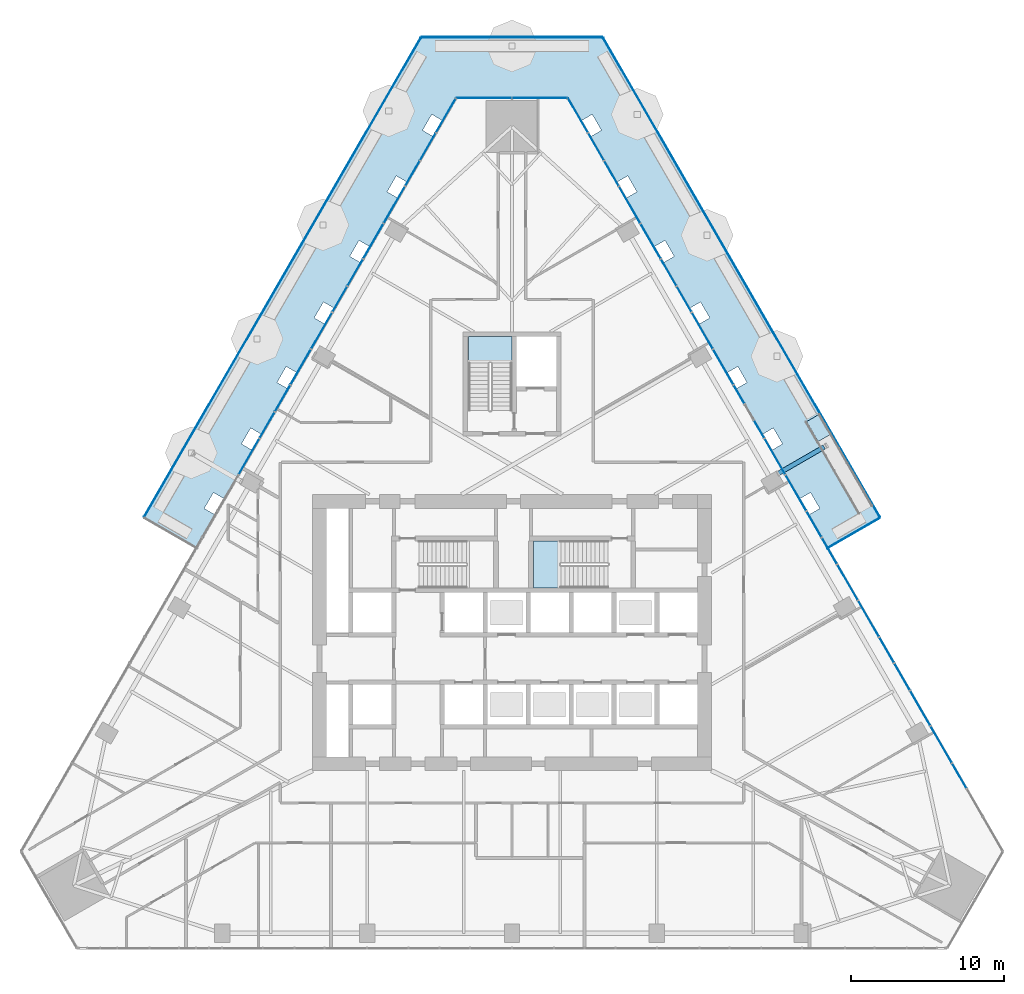
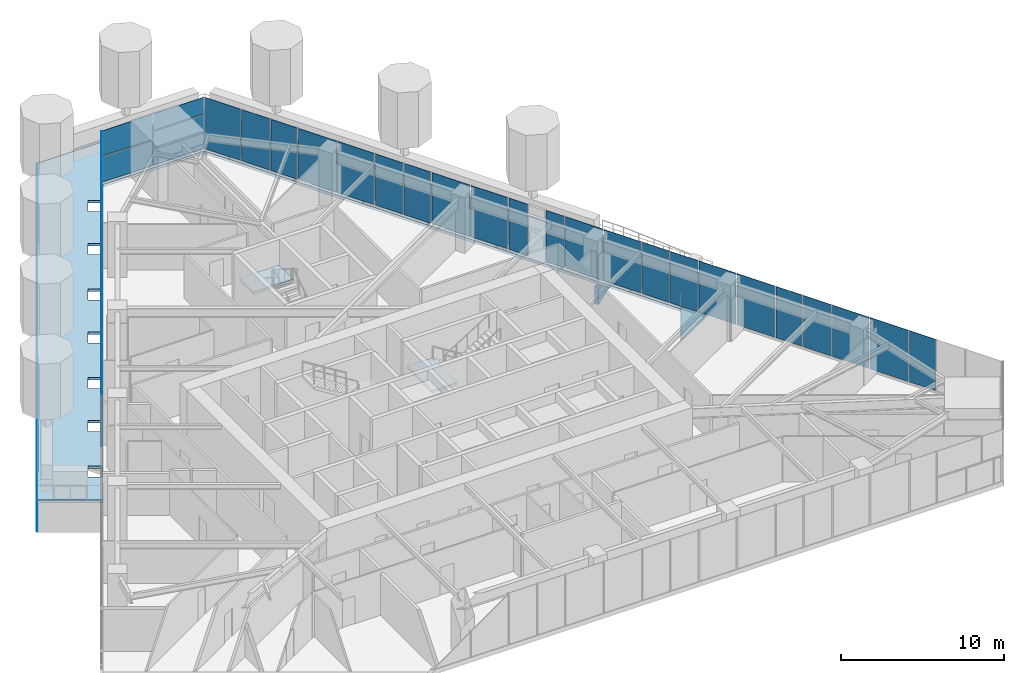
# One storey, part 15 of 25: 44 plates, 4 slabs, 5 elements without a shape of their own.
"""IFC4 building model written with IfcOpenShell, lengths in metres."""

from ifc_helpers import new_model, si_unit, direction, frame, origin, place, context, subcontext, project, spatial, polyline, outline, extrude, material, layer, layer_set, type_object, element, aggregate, save


model = new_model("IFC4")

# Units and contexts
model_context = context("Model", 3, precision=1e-05, world=origin(), true_north=direction((0.0, 1.0)))
body_context = subcontext(model_context, "Body", "Model", "MODEL_VIEW")
ifc_project = project(units=[si_unit("LENGTHUNIT", "METRE"), si_unit("AREAUNIT", "SQUARE_METRE"), si_unit("VOLUMEUNIT", "CUBIC_METRE"), si_unit("PLANEANGLEUNIT", "RADIAN"), si_unit("MASSUNIT", "GRAM", prefix="KILO")], contexts=[model_context])

# Site, building, storey
site_placement = place(None, origin())
site = spatial("IfcSite", under=ifc_project, at=site_placement, CompositionType="ELEMENT")
building_placement = place(site_placement, origin())
building = spatial("IfcBuilding", under=site, at=building_placement, Name="Firuza Gate Tower and Library", CompositionType="ELEMENT")
storey_placement = place(building_placement, frame((0.0, 0.0, 86.199951171875)))
storey = spatial("IfcBuildingStorey", under=building, at=storey_placement, Name="L19", CompositionType="ELEMENT", Elevation=86.199951171875)

# Curtain wall, plates
ifc_material_1 = material(Name="Aluminium 6063-T6", Category="aluminium")
ifc_layer_1 = layer(ifc_material_1, 0.14990234375)
ifc_layer_set_1 = layer_set([ifc_layer_1], Name="Corner curtain wall, chamfers")
curtain_wall_type_1 = type_object("IfcCurtainWallType", Name="Corner curtain wall, chamfers", PredefinedType="NOTDEFINED", material=ifc_layer_set_1)
placement_1 = place(storey_placement, origin())
curtain_wall_1 = element("IfcCurtainWall", 1, at=placement_1, inside=storey, type_object=curtain_wall_type_1, Name="CW4 L19 N corner", PredefinedType="NOTDEFINED")
ifc_material_2 = material(Name="Fritted glass", Category="glass")
ifc_layer_2 = layer(ifc_material_2, 0.030029296875)
ifc_layer_set_2 = layer_set([ifc_layer_2], Name="Fritted glass unit, corners")
plate_type_1 = type_object("IfcPlateType", Name="Fritted glass unit, corners", PredefinedType="CURTAIN_PANEL", material=ifc_layer_set_2)
plate_1_placement = place(storey_placement, frame((78.603271484375, 109.856201171875, 0.150146484375), z_axis=(0.0, 1.0, 0.0), x_axis=(-1.0, 0.0, 0.0)))
plate_1 = element("IfcPlate", 2, at=plate_1_placement, type_object=plate_type_1, Name="Glass unit", PredefinedType="CURTAIN_PANEL", context=body_context, shape_type="SweptSolid", body=[
    extrude(outline(polyline([(0.0, 0.0), (3.563232421875, 0.0), (3.563232421875, 1.260009765625), (0.0, 1.260009765625), (0.0, 0.0)])), origin(), (0.0, 0.0, -1.0), 0.030029296875),
])
plate_2_placement = place(storey_placement, frame((78.603271484375, 109.856201171875, 1.489990234375), z_axis=(0.0, 1.0, 0.0), x_axis=(-1.0, 0.0, 0.0)))
plate_2 = element("IfcPlate", 3, at=plate_2_placement, type_object=plate_type_1, Name="Glass unit", PredefinedType="CURTAIN_PANEL", context=body_context, shape_type="SweptSolid", body=[
    extrude(outline(polyline([(0.0, 0.0), (3.563232421875, 0.0), (3.563232421875, 1.195068359375), (0.0, 1.195068359375), (0.0, 0.0)])), origin(), (0.0, 0.0, -1.0), 0.030029296875),
])
plate_3_placement = place(storey_placement, frame((74.9599609375, 109.856201171875, 0.150146484375), z_axis=(0.0, 1.0, 0.0), x_axis=(-1.0, 0.0, 0.0)))
plate_3 = element("IfcPlate", 4, at=plate_3_placement, type_object=plate_type_1, Name="Glass unit", PredefinedType="CURTAIN_PANEL", context=body_context, shape_type="SweptSolid", body=[
    extrude(outline(polyline([(0.0, 0.0), (3.563232421875, 0.0), (3.563232421875, 1.885009765625), (0.0, 1.885009765625), (0.0, 0.0)])), origin(), (0.0, 0.0, -1.0), 0.030029296875),
])

ifc_material_3 = material(Name="Aluminium 6063-T6", Category="aluminium")
ifc_layer_3 = layer(ifc_material_3, 0.14990234375)
ifc_layer_set_3 = layer_set([ifc_layer_3], Name="Unitised curtain wall, offices")
curtain_wall_type_2 = type_object("IfcCurtainWallType", Name="Unitised curtain wall, offices", PredefinedType="NOTDEFINED", material=ifc_layer_set_3)
curtain_wall_2 = element("IfcCurtainWall", 5, at=placement_1, inside=storey, type_object=curtain_wall_type_2, Name="CW1 L19 E face", PredefinedType="NOTDEFINED")
ifc_material_4 = material(Name="Fritted glass", Category="glass")
ifc_layer_4 = layer(ifc_material_4, 0.030029296875)
ifc_layer_set_4 = layer_set([ifc_layer_4], Name="Fritted glass unit, offices")
plate_type_2 = type_object("IfcPlateType", Name="Fritted glass unit, offices", PredefinedType="CURTAIN_PANEL", material=ifc_layer_set_4)
plate_4_placement = place(storey_placement, frame((104.62548828125, 64.868896484375, 0.150146484375), z_axis=(0.866024486176, 0.500001589341, 0.0), x_axis=(-0.500001589341, 0.866024486176, 0.0)))
plate_4 = element("IfcPlate", 6, at=plate_4_placement, type_object=plate_type_2, Name="Glass unit", PredefinedType="CURTAIN_PANEL", context=body_context, shape_type="SweptSolid", body=[
    extrude(outline(polyline([(0.0, 0.0), (1.8422793002304725, 0.0), (1.8422793002304725, 3.849853515625001), (0.0, 3.849853515625001), (0.0, 0.0)])), origin(), (0.0, 0.0, -1.0), 0.030029296875),
])
plate_5_placement = place(storey_placement, frame((100.9306640625, 71.268310546875, 0.150146484375), z_axis=(0.866058361958, 0.499942910424, 0.0), x_axis=(-0.499942910424, 0.866058361958, 0.0)))
plate_5 = element("IfcPlate", 7, at=plate_5_placement, type_object=plate_type_2, Name="Glass unit", PredefinedType="CURTAIN_PANEL", context=body_context, shape_type="SweptSolid", body=[
    extrude(outline(polyline([(0.0, 0.0), (1.9811832410714314, 0.0), (1.9811832410714314, 3.849853515625), (0.0, 3.849853515625), (0.0, 0.0)])), origin(), (0.0, 0.0, -1.0), 0.030029296875),
])
plate_6_placement = place(storey_placement, frame((99.900146484375, 73.053466796875, 0.150146484375), z_axis=(0.866025296335, 0.500000186108, 0.0), x_axis=(-0.500000186108, 0.866025296335, 0.0)))
plate_6 = element("IfcPlate", 8, at=plate_6_placement, type_object=plate_type_2, Name="Glass unit", PredefinedType="CURTAIN_PANEL", context=body_context, shape_type="SweptSolid", body=[
    extrude(outline(polyline([(0.0, 0.0), (1.8769524263664479, 0.0), (1.8769524263664479, 3.849853515625), (0.0, 3.849853515625), (0.0, 0.0)])), origin(), (0.0, 0.0, -1.0), 0.030029296875),
])
plate_7_placement = place(storey_placement, frame((96.18798828125, 79.48291015625, 0.150146484375), z_axis=(0.866026830048, 0.499997529631, 0.0), x_axis=(-0.499997529631, 0.866026830048, 0.0)))
plate_7 = element("IfcPlate", 9, at=plate_7_placement, type_object=plate_type_2, Name="Glass unit", PredefinedType="CURTAIN_PANEL", context=body_context, shape_type="SweptSolid", body=[
    extrude(outline(polyline([(0.0, 0.0), (1.9462986786523924, 0.0), (1.9462986786523924, 3.849853515625), (0.0, 3.849853515625), (0.0, 0.0)])), origin(), (0.0, 0.0, -1.0), 0.030029296875),
])
plate_8_placement = place(storey_placement, frame((95.1748046875, 81.23779296875, 0.150146484375), z_axis=(0.866026077102, 0.499998833779, 0.0), x_axis=(-0.499998833779, 0.866026077102, 0.0)))
plate_8 = element("IfcPlate", 10, at=plate_8_placement, type_object=plate_type_2, Name="Glass unit", PredefinedType="CURTAIN_PANEL", context=body_context, shape_type="SweptSolid", body=[
    extrude(outline(polyline([(0.0, 0.0), (1.9116255525071724, 0.0), (1.9116255525071724, 3.849853515625001), (0.0, 3.849853515625001), (0.0, 0.0)])), origin(), (0.0, 0.0, -1.0), 0.030029296875),
])
plate_9_placement = place(storey_placement, frame((91.4453125, 87.697265625, 0.150146484375), z_axis=(0.866107802588, 0.499857253921, 0.0), x_axis=(-0.499857253921, 0.866107802588, 0.0)))
plate_9 = element("IfcPlate", 11, at=plate_9_placement, type_object=plate_type_2, Name="Glass unit", PredefinedType="CURTAIN_PANEL", context=body_context, shape_type="SweptSolid", body=[
    extrude(outline(polyline([(0.0, 0.0), (1.3065253464918682, 0.0), (1.3065253464918682, 3.849853515625), (0.0, 3.849853515625), (0.0, 0.0)])), origin(), (0.0, 0.0, -1.0), 0.030029296875),
])
plate_10_placement = place(storey_placement, frame((90.152099609375, 89.937255859375, 0.150146484375), z_axis=(0.866056258873, 0.49994655361, 0.0), x_axis=(-0.49994655361, 0.866056258873, 0.0)))
plate_10 = element("IfcPlate", 12, at=plate_10_placement, type_object=plate_type_2, Name="Glass unit", PredefinedType="CURTAIN_PANEL", context=body_context, shape_type="SweptSolid", body=[
    extrude(outline(polyline([(0.0, 0.0), (1.351706987717184, 0.0), (1.351706987717184, 3.849853515625), (0.0, 3.849853515625), (0.0, 0.0)])), origin(), (0.0, 0.0, -1.0), 0.030029296875),
])
plate_11_placement = place(storey_placement, frame((86.70263671875, 95.911865234375, 0.150146484375), z_axis=(0.866025296335, 0.500000186108, 0.0), x_axis=(-0.500000186108, 0.866025296335, 0.0)))
plate_11 = element("IfcPlate", 13, at=plate_11_placement, type_object=plate_type_2, Name="Glass unit", PredefinedType="CURTAIN_PANEL", context=body_context, shape_type="SweptSolid", body=[
    extrude(outline(polyline([(0.0, 0.0), (1.8769524263664479, 0.0), (1.8769524263664479, 3.849853515625), (0.0, 3.849853515625), (0.0, 0.0)])), origin(), (0.0, 0.0, -1.0), 0.030029296875),
])
plate_12_placement = place(storey_placement, frame((85.72412109375, 97.606689453125, 0.150146484375), z_axis=(0.866058361958, 0.499942910424, 0.0), x_axis=(-0.499942910424, 0.866058361958, 0.0)))
plate_12 = element("IfcPlate", 14, at=plate_12_placement, type_object=plate_type_2, Name="Glass unit", PredefinedType="CURTAIN_PANEL", context=body_context, shape_type="SweptSolid", body=[
    extrude(outline(polyline([(0.0, 0.0), (1.9811832410714314, 0.0), (1.9811832410714314, 3.849853515625), (0.0, 3.849853515625), (0.0, 0.0)])), origin(), (0.0, 0.0, -1.0), 0.030029296875),
])
plate_13_placement = place(storey_placement, frame((81.9599609375, 104.12646484375, 0.150146484375), z_axis=(0.866024486176, 0.500001589341, 0.0), x_axis=(-0.500001589341, 0.866024486176, 0.0)))
plate_13 = element("IfcPlate", 15, at=plate_13_placement, type_object=plate_type_2, Name="Glass unit", PredefinedType="CURTAIN_PANEL", context=body_context, shape_type="SweptSolid", body=[
    extrude(outline(polyline([(0.0, 0.0), (1.8422793002304725, 0.0), (1.8422793002304725, 3.849853515625001), (0.0, 3.849853515625001), (0.0, 0.0)])), origin(), (0.0, 0.0, -1.0), 0.030029296875),
])
plate_14_placement = place(storey_placement, frame((80.9990234375, 105.791259765625, 0.150146484375), z_axis=(0.865975809255, 0.500085890408, 0.0), x_axis=(-0.500085890408, 0.865975809255, 0.0)))
plate_14 = element("IfcPlate", 16, at=plate_14_placement, type_object=plate_type_2, Name="Glass unit", PredefinedType="CURTAIN_PANEL", context=body_context, shape_type="SweptSolid", body=[
    extrude(outline(polyline([(0.0, 0.0), (2.0157670111493706, 0.0), (2.0157670111493706, 3.849853515625), (0.0, 3.849853515625), (0.0, 0.0)])), origin(), (0.0, 0.0, -1.0), 0.030029296875),
])

curtain_wall_3 = element("IfcCurtainWall", 17, at=placement_1, inside=storey, type_object=curtain_wall_type_2, Name="CW1 L19 W face", PredefinedType="NOTDEFINED")
plate_15_placement = place(storey_placement, frame((70.009033203125, 107.536865234375, 0.150146484375), z_axis=(-0.865975809255, 0.500085890408, 0.0), x_axis=(-0.500085890408, -0.865975809255, 0.0)))
plate_15 = element("IfcPlate", 18, at=plate_15_placement, type_object=plate_type_2, Name="Glass unit", PredefinedType="CURTAIN_PANEL", context=body_context, shape_type="SweptSolid", body=[
    extrude(outline(polyline([(0.0, 0.0), (2.0157670111493706, 0.0), (2.0157670111493706, 3.849853515625), (0.0, 3.849853515625), (0.0, 0.0)])), origin(), (0.0, 0.0, -1.0), 0.030029296875),
])
plate_16_placement = place(storey_placement, frame((68.961181640625, 105.721923828125, 0.150146484375), z_axis=(-0.866024486176, 0.500001589341, 0.0), x_axis=(-0.500001589341, -0.866024486176, 0.0)))
plate_16 = element("IfcPlate", 19, at=plate_16_placement, type_object=plate_type_2, Name="Glass unit", PredefinedType="CURTAIN_PANEL", context=body_context, shape_type="SweptSolid", body=[
    extrude(outline(polyline([(0.0, 0.0), (1.8422793002304725, 0.0), (1.8422793002304725, 3.849853515625001), (0.0, 3.849853515625001), (0.0, 0.0)])), origin(), (0.0, 0.0, -1.0), 0.030029296875),
])
plate_17_placement = place(storey_placement, frame((65.266357421875, 99.322509765625, 0.150146484375), z_axis=(-0.866058361958, 0.499942910424, 0.0), x_axis=(-0.499942910424, -0.866058361958, 0.0)))
plate_17 = element("IfcPlate", 20, at=plate_17_placement, type_object=plate_type_2, Name="Glass unit", PredefinedType="CURTAIN_PANEL", context=body_context, shape_type="SweptSolid", body=[
    extrude(outline(polyline([(0.0, 0.0), (1.9811832410714314, 0.0), (1.9811832410714314, 3.849853515625), (0.0, 3.849853515625), (0.0, 0.0)])), origin(), (0.0, 0.0, -1.0), 0.030029296875),
])
plate_18_placement = place(storey_placement, frame((64.23583984375, 97.537353515625, 0.150146484375), z_axis=(-0.866025296335, 0.500000186108, 0.0), x_axis=(-0.500000186108, -0.866025296335, 0.0)))
plate_18 = element("IfcPlate", 21, at=plate_18_placement, type_object=plate_type_2, Name="Glass unit", PredefinedType="CURTAIN_PANEL", context=body_context, shape_type="SweptSolid", body=[
    extrude(outline(polyline([(0.0, 0.0), (1.8769524263664479, 0.0), (1.8769524263664479, 3.849853515625), (0.0, 3.849853515625), (0.0, 0.0)])), origin(), (0.0, 0.0, -1.0), 0.030029296875),
])
plate_19_placement = place(storey_placement, frame((60.523681640625, 91.10791015625, 0.150146484375), z_axis=(-0.866026830048, 0.499997529631, 0.0), x_axis=(-0.499997529631, -0.866026830048, 0.0)))
plate_19 = element("IfcPlate", 22, at=plate_19_placement, type_object=plate_type_2, Name="Glass unit", PredefinedType="CURTAIN_PANEL", context=body_context, shape_type="SweptSolid", body=[
    extrude(outline(polyline([(0.0, 0.0), (1.9462986786523924, 0.0), (1.9462986786523924, 3.849853515625), (0.0, 3.849853515625), (0.0, 0.0)])), origin(), (0.0, 0.0, -1.0), 0.030029296875),
])
plate_20_placement = place(storey_placement, frame((59.510498046875, 89.35302734375, 0.150146484375), z_axis=(-0.866058000062, 0.49994353734, 0.0), x_axis=(-0.49994353734, -0.866058000062, 0.0)))
plate_20 = element("IfcPlate", 23, at=plate_20_placement, type_object=plate_type_2, Name="Glass unit", PredefinedType="CURTAIN_PANEL", context=body_context, shape_type="SweptSolid", body=[
    extrude(outline(polyline([(0.0, 0.0), (1.9118369885519635, 0.0), (1.9118369885519635, 3.849853515625001), (0.0, 3.849853515625001), (0.0, 0.0)])), origin(), (0.0, 0.0, -1.0), 0.030029296875),
])

# Slab
ifc_material_5 = material(Name="Concrete C40/50", Category="concrete")
ifc_layer_5 = layer(ifc_material_5, 0.449951171875)
ifc_layer_set_5 = layer_set([ifc_layer_5], Name="Garden deck 450")
slab_type_1 = type_object("IfcSlabType", Name="Garden deck 450", PredefinedType="FLOOR", material=ifc_layer_set_5)
element("IfcSlab", 24, at=placement_1, inside=storey, type_object=slab_type_1, Name="Garden deck 2", PredefinedType="FLOOR", context=body_context, shape_type="SweptSolid", body=[
    extrude(outline(polyline([(95.72900390625, 87.89794921875), (94.978271484375, 89.1982421875), (94.198974609375, 88.748291015625), (94.94970703125, 87.44775390625), (95.72900390625, 87.89794921875)])), origin(), (0.0, 0.0, 1.0), 0.449951171875),
])

# Plate
ifc_material_6 = material(Name="Glazed ceramic tile")
ifc_layer_6 = layer(ifc_material_6, 0.030029296875)
ifc_layer_set_6 = layer_set([ifc_layer_6], Name="Opaque ceramic panel, corners")
plate_type_3 = type_object("IfcPlateType", Name="Opaque ceramic panel, corners", PredefinedType="CURTAIN_PANEL", material=ifc_layer_set_6)
plate_21_placement = place(storey_placement, frame((78.603271484375, 109.856201171875, 2.76513671875), z_axis=(0.0, 1.0, 0.0), x_axis=(-1.0, 0.0, 0.0)))
plate_21 = element("IfcPlate", 25, at=plate_21_placement, type_object=plate_type_3, Name="Opaque ceramic panel", PredefinedType="CURTAIN_PANEL", context=body_context, shape_type="SweptSolid", body=[
    extrude(outline(polyline([(0.0, 0.0), (3.563232421875, 0.0), (3.563232421875, 1.23486328125), (0.0, 1.23486328125), (0.0, 0.0)])), origin(), (0.0, 0.0, -1.0), 0.030029296875),
])

plate_22_placement = place(storey_placement, frame((74.9599609375, 109.856201171875, 2.114990234375), z_axis=(0.0, 1.0, 0.0), x_axis=(-1.0, 0.0, 0.0)))
plate_22 = element("IfcPlate", 26, at=plate_22_placement, type_object=plate_type_3, Name="Opaque ceramic panel", PredefinedType="CURTAIN_PANEL", context=body_context, shape_type="SweptSolid", body=[
    extrude(outline(polyline([(0.0, 0.0), (3.563232421875, 0.0), (3.563232421875, 1.885009765625), (0.0, 1.885009765625), (0.0, 0.0)])), origin(), (0.0, 0.0, -1.0), 0.030029296875),
])

aggregate(curtain_wall_1, [plate_1, plate_2, plate_21, plate_3, plate_22])

ifc_material_7 = material(Name="Glazed ceramic tile")
ifc_layer_7 = layer(ifc_material_7, 0.030029296875)
ifc_layer_set_7 = layer_set([ifc_layer_7], Name="Opaque ceramic panel, offices")
plate_type_4 = type_object("IfcPlateType", Name="Opaque ceramic panel, offices", PredefinedType="CURTAIN_PANEL", material=ifc_layer_set_7)
plate_23_placement = place(storey_placement, frame((103.664306640625, 66.53369140625, 0.150146484375), z_axis=(0.866010893236, 0.500025132165, 0.0), x_axis=(-0.500025132165, 0.866010893236, 0.0)))
plate_23 = element("IfcPlate", 27, at=plate_23_placement, type_object=plate_type_4, Name="Opaque ceramic panel", PredefinedType="CURTAIN_PANEL", context=body_context, shape_type="SweptSolid", body=[
    extrude(outline(polyline([(0.0, 0.0), (2.7230076610963145, 0.0), (2.7230076610963145, 3.849853515625), (0.0, 3.849853515625), (0.0, 0.0)])), origin(), (0.0, 0.0, -1.0), 0.030029296875),
])

plate_24_placement = place(storey_placement, frame((102.2626953125, 68.961181640625, 0.150146484375), z_axis=(0.866025099701, 0.500000526688, 0.0), x_axis=(-0.500000526688, 0.866025099701, 0.0)))
plate_24 = element("IfcPlate", 28, at=plate_24_placement, type_object=plate_type_4, Name="Opaque ceramic panel", PredefinedType="CURTAIN_PANEL", context=body_context, shape_type="SweptSolid", body=[
    extrude(outline(polyline([(0.0, 0.0), (2.5839816530981743, 0.0), (2.5839816530981743, 3.849853515625), (0.0, 3.849853515625), (0.0, 0.0)])), origin(), (0.0, 0.0, -1.0), 0.030029296875),
])

plate_25_placement = place(storey_placement, frame((98.921630859375, 74.748291015625, 0.150146484375), z_axis=(0.866010152247, 0.500026415507, 0.0), x_axis=(-0.500026415507, 0.866010152247, 0.0)))
plate_25 = element("IfcPlate", 29, at=plate_25_placement, type_object=plate_type_4, Name="Opaque ceramic panel", PredefinedType="CURTAIN_PANEL", context=body_context, shape_type="SweptSolid", body=[
    extrude(outline(polyline([(0.0, 0.0), (2.688334535061244, 0.0), (2.688334535061244, 3.849853515625), (0.0, 3.849853515625), (0.0, 0.0)])), origin(), (0.0, 0.0, -1.0), 0.030029296875),
])

plate_26_placement = place(storey_placement, frame((97.537353515625, 77.1455078125, 0.150146484375), z_axis=(0.86604897723, 0.499959167372, 0.0), x_axis=(-0.499959167372, 0.86604897723, 0.0)))
plate_26 = element("IfcPlate", 30, at=plate_26_placement, type_object=plate_type_4, Name="Opaque ceramic panel", PredefinedType="CURTAIN_PANEL", context=body_context, shape_type="SweptSolid", body=[
    extrude(outline(polyline([(0.0, 0.0), (2.618866214130961, 0.0), (2.618866214130961, 3.849853515625), (0.0, 3.849853515625), (0.0, 0.0)])), origin(), (0.0, 0.0, -1.0), 0.030029296875),
])

plate_27_placement = place(storey_placement, frame((94.178955078125, 82.962646484375, 0.150146484375), z_axis=(0.866009391893, 0.500027732385, 0.0), x_axis=(-0.500027732385, 0.866009391893, 0.0)))
plate_27 = element("IfcPlate", 31, at=plate_27_placement, type_object=plate_type_4, Name="Opaque ceramic panel", PredefinedType="CURTAIN_PANEL", context=body_context, shape_type="SweptSolid", body=[
    extrude(outline(polyline([(0.0, 0.0), (2.653661409032231, 0.0), (2.653661409032231, 3.849853515625), (0.0, 3.849853515625), (0.0, 0.0)])), origin(), (0.0, 0.0, -1.0), 0.030029296875),
])

plate_28_placement = place(storey_placement, frame((92.812255859375, 85.330078125, 0.150146484375), z_axis=(0.866009391893, 0.500027732385, 0.0), x_axis=(-0.500027732385, 0.866009391893, 0.0)))
plate_28 = element("IfcPlate", 32, at=plate_28_placement, type_object=plate_type_4, Name="Opaque ceramic panel", PredefinedType="CURTAIN_PANEL", context=body_context, shape_type="SweptSolid", body=[
    extrude(outline(polyline([(0.0, 0.0), (2.653661409032231, 0.0), (2.653661409032231, 3.849853515625), (0.0, 3.849853515625), (0.0, 0.0)])), origin(), (0.0, 0.0, -1.0), 0.030029296875),
])

plate_29_placement = place(storey_placement, frame((89.436279296875, 91.17724609375, 0.150146484375), z_axis=(0.86604897723, 0.499959167372, 0.0), x_axis=(-0.499959167372, 0.86604897723, 0.0)))
plate_29 = element("IfcPlate", 33, at=plate_29_placement, type_object=plate_type_4, Name="Opaque ceramic panel", PredefinedType="CURTAIN_PANEL", context=body_context, shape_type="SweptSolid", body=[
    extrude(outline(polyline([(0.0, 0.0), (2.618866214130961, 0.0), (2.618866214130961, 3.849853515625), (0.0, 3.849853515625), (0.0, 0.0)])), origin(), (0.0, 0.0, -1.0), 0.030029296875),
])

plate_30_placement = place(storey_placement, frame((88.0869140625, 93.514404296875, 0.150146484375), z_axis=(0.866010152247, 0.500026415507, 0.0), x_axis=(-0.500026415507, 0.866010152247, 0.0)))
plate_30 = element("IfcPlate", 34, at=plate_30_placement, type_object=plate_type_4, Name="Opaque ceramic panel", PredefinedType="CURTAIN_PANEL", context=body_context, shape_type="SweptSolid", body=[
    extrude(outline(polyline([(0.0, 0.0), (2.688334535061244, 0.0), (2.688334535061244, 3.849853515625), (0.0, 3.849853515625), (0.0, 0.0)])), origin(), (0.0, 0.0, -1.0), 0.030029296875),
])

plate_31_placement = place(storey_placement, frame((84.693603515625, 99.3916015625, 0.150146484375), z_axis=(0.866048717436, 0.499959617396, 0.0), x_axis=(-0.499959617396, 0.866048717436, 0.0)))
plate_31 = element("IfcPlate", 35, at=plate_31_placement, type_object=plate_type_4, Name="Opaque ceramic panel", PredefinedType="CURTAIN_PANEL", context=body_context, shape_type="SweptSolid", body=[
    extrude(outline(polyline([(0.0, 0.0), (2.5841930878904233, 0.0), (2.5841930878904233, 3.849853515625), (0.0, 3.849853515625), (0.0, 0.0)])), origin(), (0.0, 0.0, -1.0), 0.030029296875),
])

plate_32_placement = place(storey_placement, frame((83.361572265625, 101.698974609375, 0.150146484375), z_axis=(0.866010893236, 0.500025132165, 0.0), x_axis=(-0.500025132165, 0.866010893236, 0.0)))
plate_32 = element("IfcPlate", 36, at=plate_32_placement, type_object=plate_type_4, Name="Opaque ceramic panel", PredefinedType="CURTAIN_PANEL", context=body_context, shape_type="SweptSolid", body=[
    extrude(outline(polyline([(0.0, 0.0), (2.7230076610963145, 0.0), (2.7230076610963145, 3.849853515625), (0.0, 3.849853515625), (0.0, 0.0)])), origin(), (0.0, 0.0, -1.0), 0.030029296875),
])

plate_33_placement = place(storey_placement, frame((79.950927734375, 107.606201171875, 0.150146484375), z_axis=(0.866024511559, 0.500001545377, 0.0), x_axis=(-0.500001545377, 0.866024511559, 0.0)))
plate_33 = element("IfcPlate", 37, at=plate_33_placement, type_object=plate_type_4, Name="Opaque ceramic panel", PredefinedType="CURTAIN_PANEL", context=body_context, shape_type="SweptSolid", body=[
    extrude(outline(polyline([(0.0, 0.0), (2.5493085269627205, 0.0), (2.5493085269627205, 3.849853515625), (0.0, 3.849853515625), (0.0, 0.0)])), origin(), (0.0, 0.0, -1.0), 0.030029296875),
])

aggregate(curtain_wall_2, [plate_4, plate_23, plate_24, plate_5, plate_6, plate_25, plate_26, plate_7, plate_8, plate_27, plate_28, plate_9, plate_10, plate_29, plate_30, plate_11, plate_12, plate_31, plate_32, plate_13, plate_14, plate_33])

plate_34_placement = place(storey_placement, frame((71.32373046875, 109.81396484375, 0.150146484375), z_axis=(-0.866024511559, 0.500001545377, 0.0), x_axis=(-0.500001545377, -0.866024511559, 0.0)))
plate_34 = element("IfcPlate", 38, at=plate_34_placement, type_object=plate_type_4, Name="Opaque ceramic panel", PredefinedType="CURTAIN_PANEL", context=body_context, shape_type="SweptSolid", body=[
    extrude(outline(polyline([(0.0, 0.0), (2.5493085269627205, 0.0), (2.5493085269627205, 3.849853515625), (0.0, 3.849853515625), (0.0, 0.0)])), origin(), (0.0, 0.0, -1.0), 0.030029296875),
])

plate_35_placement = place(storey_placement, frame((68.0, 104.05712890625, 0.150146484375), z_axis=(-0.866010893236, 0.500025132165, 0.0), x_axis=(-0.500025132165, -0.866010893236, 0.0)))
plate_35 = element("IfcPlate", 39, at=plate_35_placement, type_object=plate_type_4, Name="Opaque ceramic panel", PredefinedType="CURTAIN_PANEL", context=body_context, shape_type="SweptSolid", body=[
    extrude(outline(polyline([(0.0, 0.0), (2.7230076610963145, 0.0), (2.7230076610963145, 3.849853515625), (0.0, 3.849853515625), (0.0, 0.0)])), origin(), (0.0, 0.0, -1.0), 0.030029296875),
])

plate_36_placement = place(storey_placement, frame((66.598388671875, 101.629638671875, 0.150146484375), z_axis=(-0.866048717436, 0.499959617396, 0.0), x_axis=(-0.499959617396, -0.866048717436, 0.0)))
plate_36 = element("IfcPlate", 40, at=plate_36_placement, type_object=plate_type_4, Name="Opaque ceramic panel", PredefinedType="CURTAIN_PANEL", context=body_context, shape_type="SweptSolid", body=[
    extrude(outline(polyline([(0.0, 0.0), (2.5841930878904233, 0.0), (2.5841930878904233, 3.849853515625), (0.0, 3.849853515625), (0.0, 0.0)])), origin(), (0.0, 0.0, -1.0), 0.030029296875),
])

plate_37_placement = place(storey_placement, frame((63.25732421875, 95.842529296875, 0.150146484375), z_axis=(-0.866010152247, 0.500026415507, 0.0), x_axis=(-0.500026415507, -0.866010152247, 0.0)))
plate_37 = element("IfcPlate", 41, at=plate_37_placement, type_object=plate_type_4, Name="Opaque ceramic panel", PredefinedType="CURTAIN_PANEL", context=body_context, shape_type="SweptSolid", body=[
    extrude(outline(polyline([(0.0, 0.0), (2.688334535061244, 0.0), (2.688334535061244, 3.849853515625), (0.0, 3.849853515625), (0.0, 0.0)])), origin(), (0.0, 0.0, -1.0), 0.030029296875),
])

plate_38_placement = place(storey_placement, frame((61.873046875, 93.4453125, 0.150146484375), z_axis=(-0.86604897723, 0.499959167372, 0.0), x_axis=(-0.499959167372, -0.86604897723, 0.0)))
plate_38 = element("IfcPlate", 42, at=plate_38_placement, type_object=plate_type_4, Name="Opaque ceramic panel", PredefinedType="CURTAIN_PANEL", context=body_context, shape_type="SweptSolid", body=[
    extrude(outline(polyline([(0.0, 0.0), (2.618866214130961, 0.0), (2.618866214130961, 3.849853515625), (0.0, 3.849853515625), (0.0, 0.0)])), origin(), (0.0, 0.0, -1.0), 0.030029296875),
])

plate_39_placement = place(storey_placement, frame((58.5146484375, 87.628173828125, 0.150146484375), z_axis=(-0.866009391893, 0.500027732385, 0.0), x_axis=(-0.500027732385, -0.866009391893, 0.0)))
plate_39 = element("IfcPlate", 43, at=plate_39_placement, type_object=plate_type_4, Name="Opaque ceramic panel", PredefinedType="CURTAIN_PANEL", context=body_context, shape_type="SweptSolid", body=[
    extrude(outline(polyline([(0.0, 0.0), (2.653661409032231, 0.0), (2.653661409032231, 3.849853515625), (0.0, 3.849853515625), (0.0, 0.0)])), origin(), (0.0, 0.0, -1.0), 0.030029296875),
])

aggregate(curtain_wall_3, [plate_34, plate_15, plate_16, plate_35, plate_36, plate_17, plate_18, plate_37, plate_38, plate_19, plate_20, plate_39])

# Slab
ifc_material_8 = material(Name="Concrete C40/50", Category="concrete")
ifc_layer_8 = layer(ifc_material_8, 0.199951171875)
ifc_layer_set_8 = layer_set([ifc_layer_8], Name="Planter tray slab 200 C40/50")
slab_type_2 = type_object("IfcSlabType", Name="Planter tray slab 200 C40/50", PredefinedType="FLOOR", material=ifc_layer_set_8)
slab_2_placement = place(storey_placement, frame((0.0, 0.0, -0.199951171875)))
element("IfcSlab", 44, at=slab_2_placement, inside=storey, type_object=slab_type_2, Name="Planter tray L19 band 2", PredefinedType="FLOOR", context=body_context, shape_type="SweptSolid", body=[
    extrude(outline(polyline([(95.500732421875, 80.4931640625), (98.96484375, 82.4931640625), (80.909423828125, 113.76611328125), (69.090576171875, 113.76611328125), (51.03515625, 82.4931640625), (54.499267578125, 80.4931640625), (71.39990234375, 109.76611328125), (78.60009765625, 109.76611328125), (95.500732421875, 80.4931640625)]), holes=[polyline([(55.543701171875, 84.12255859375), (56.27978515625, 83.697509765625), (55.6796875, 82.658447265625), (54.943603515625, 83.083251953125), (55.543701171875, 84.12255859375)]), polyline([(57.971435546875, 88.32763671875), (58.70751953125, 87.902587890625), (58.107666015625, 86.86328125), (57.37158203125, 87.288330078125), (57.971435546875, 88.32763671875)]), polyline([(60.286376953125, 92.337158203125), (61.0224609375, 91.912109375), (60.42236328125, 90.872802734375), (59.686279296875, 91.2978515625), (60.286376953125, 92.337158203125)]), polyline([(62.714111328125, 96.542236328125), (63.4501953125, 96.1171875), (62.850341796875, 95.077880859375), (62.114013671875, 95.5029296875), (62.714111328125, 96.542236328125)]), polyline([(65.029052734375, 100.551513671875), (65.76513671875, 100.12646484375), (65.1650390625, 99.08740234375), (64.428955078125, 99.512451171875), (65.029052734375, 100.551513671875)]), polyline([(68.19287109375, 104.33154296875), (67.5927734375, 103.29248046875), (66.856689453125, 103.71728515625), (67.456787109375, 104.756591796875), (68.19287109375, 104.33154296875)]), polyline([(70.5078125, 108.341064453125), (69.90771484375, 107.3017578125), (69.171630859375, 107.726806640625), (69.771728515625, 108.76611328125), (70.5078125, 108.341064453125)]), polyline([(95.056396484375, 83.083251953125), (94.3203125, 82.658447265625), (93.72021484375, 83.697509765625), (94.456298828125, 84.12255859375), (95.056396484375, 83.083251953125)]), polyline([(92.62841796875, 87.288330078125), (91.892333984375, 86.86328125), (91.29248046875, 87.902587890625), (92.028564453125, 88.32763671875), (92.62841796875, 87.288330078125)]), polyline([(90.313720703125, 91.2978515625), (89.57763671875, 90.872802734375), (88.9775390625, 91.912109375), (89.713623046875, 92.337158203125), (90.313720703125, 91.2978515625)]), polyline([(87.885986328125, 95.5029296875), (87.149658203125, 95.077880859375), (86.5498046875, 96.1171875), (87.285888671875, 96.542236328125), (87.885986328125, 95.5029296875)]), polyline([(85.571044921875, 99.512451171875), (84.8349609375, 99.08740234375), (84.23486328125, 100.12646484375), (84.970947265625, 100.551513671875), (85.571044921875, 99.512451171875)]), polyline([(82.4072265625, 103.29248046875), (81.80712890625, 104.33154296875), (82.543212890625, 104.756591796875), (83.143310546875, 103.71728515625), (82.4072265625, 103.29248046875)]), polyline([(80.09228515625, 107.3017578125), (79.4921875, 108.341064453125), (80.228271484375, 108.76611328125), (80.828369140625, 107.726806640625), (80.09228515625, 107.3017578125)])]), origin(), (0.0, 0.0, 1.0), 0.199951171875),
])

# Stair, slab
ifc_material_9 = material(Name="Concrete C35/45", Category="concrete")
stair_type_1 = type_object("IfcStairType", Name="Exit stair ST5", PredefinedType="HALF_TURN_STAIR", material=ifc_material_9)
stair_1 = element("IfcStair", 45, at=placement_1, inside=storey, type_object=stair_type_1, Name="L19 Stair ST2", PredefinedType="HALF_TURN_STAIR")
ifc_material_10 = material(Name="Concrete C35/45", Category="concrete")
ifc_layer_9 = layer(ifc_material_10, 0.199951171875)
ifc_layer_set_9 = layer_set([ifc_layer_9], Name="Stair landing 200")
slab_type_3 = type_object("IfcSlabType", Name="Stair landing 200", PredefinedType="LANDING", material=ifc_layer_set_9)
placement_2 = place(storey_placement, frame((0.0, 0.0, 1.900146484375)))
slab_3 = element("IfcSlab", 46, at=placement_2, type_object=slab_type_3, Name="ST2 landing 1", PredefinedType="LANDING", context=body_context, shape_type="SweptSolid", body=[
    extrude(outline(polyline([(78.179931640625, 80.97998046875), (76.389892578125, 80.97998046875), (76.389892578125, 77.89990234375), (78.179931640625, 77.89990234375), (78.179931640625, 80.97998046875)])), origin(), (0.0, 0.0, 1.0), 0.199951171875),
])
aggregate(stair_1, [slab_3])

ifc_material_11 = material(Name="Concrete C35/45", Category="concrete")
stair_type_2 = type_object("IfcStairType", Name="Exit stair ST14", PredefinedType="HALF_TURN_STAIR", material=ifc_material_11)
stair_2 = element("IfcStair", 47, at=placement_1, inside=storey, type_object=stair_type_2, Name="L19 Stair ST3", PredefinedType="HALF_TURN_STAIR")
slab_4 = element("IfcSlab", 48, at=placement_2, type_object=slab_type_3, Name="ST3 landing 1", PredefinedType="LANDING", context=body_context, shape_type="SweptSolid", body=[
    extrude(outline(polyline([(75.0, 92.550048828125), (75.0, 94.300048828125), (72.159912109375, 94.300048828125), (72.159912109375, 92.550048828125), (75.0, 92.550048828125)])), origin(), (0.0, 0.0, 1.0), 0.199951171875),
])
aggregate(stair_2, [slab_4])

# Plates
ifc_material_12 = material(Name="Steel S355", Category="steel")
ifc_layer_10 = layer(ifc_material_12, 0.300048828125)
ifc_layer_set_10 = layer_set([ifc_layer_10], Name="Tray bracket web 300 Steel S355")
plate_type_5 = type_object("IfcPlateType", Name="Tray bracket web 300 Steel S355", PredefinedType="SHEET", material=ifc_layer_set_10)
plate_40_placement = place(storey_placement, frame((92.300048828125, 85.508056640625, -0.199951171875), z_axis=(-0.500028509433, 0.86600894323, 0.0), x_axis=(0.86600894323, 0.500028509433, 0.0)))
element("IfcPlate", 49, at=plate_40_placement, inside=storey, type_object=plate_type_5, Name="Tray bracket web L19 col:L18:E3", PredefinedType="SHEET", context=body_context, shape_type="SweptSolid", body=[
    extrude(outline(polyline([(0.0, 0.0), (3.4294919542601163, 0.0), (0.0, 1.333984375), (0.0, 0.0)])), origin(), (0.0, 0.0, -1.0), 0.300048828125),
])
ifc_material_13 = material(Name="Aluminium 6063-T6", Category="aluminium")
ifc_layer_11 = layer(ifc_material_13, 0.050048828125)
ifc_layer_set_11 = layer_set([ifc_layer_11], Name="Tray fascia panel 50")
plate_type_6 = type_object("IfcPlateType", Name="Tray fascia panel 50", PredefinedType="SHEET", material=ifc_layer_set_11)
plate_41_placement = place(storey_placement, frame((98.992919921875, 82.5439453125, -2.39990234375), z_axis=(0.866031649141, 0.499989182569, 0.0), x_axis=(-0.499989182569, 0.866031649141, 0.0)))
element("IfcPlate", 50, at=plate_41_placement, inside=storey, type_object=plate_type_6, Name="Tray fascia L19 1", PredefinedType="SHEET", context=body_context, shape_type="SweptSolid", body=[
    extrude(outline(polyline([(0.0, 0.0), (36.05058463693289, 0.0), (36.05058463693289, 2.39990234375), (0.0, 2.39990234375), (0.0, 0.0)])), origin(), (0.0, 0.0, -1.0), 0.050048828125),
])
plate_42_placement = place(storey_placement, frame((80.87890625, 113.81591796875, -2.39990234375), z_axis=(0.0, 1.0, 0.0), x_axis=(-1.0, 0.0, 0.0)))
element("IfcPlate", 51, at=plate_42_placement, inside=storey, type_object=plate_type_6, Name="Tray fascia L19 2", PredefinedType="SHEET", context=body_context, shape_type="SweptSolid", body=[
    extrude(outline(polyline([(0.0, 0.0), (11.7578125, 0.0), (11.7578125, 2.39990234375), (0.0, 2.39990234375), (0.0, 0.0)])), origin(), (0.0, 0.0, -1.0), 0.050048828125),
])
plate_43_placement = place(storey_placement, frame((69.031982421875, 113.764892578125, -2.39990234375), z_axis=(-0.866031649141, 0.499989182569, 0.0), x_axis=(-0.499989182569, -0.866031649141, 0.0)))
element("IfcPlate", 52, at=plate_43_placement, inside=storey, type_object=plate_type_6, Name="Tray fascia L19 3", PredefinedType="SHEET", context=body_context, shape_type="SweptSolid", body=[
    extrude(outline(polyline([(0.0, 0.0), (36.05058463693289, 0.0), (36.05058463693289, 2.39990234375), (0.0, 2.39990234375), (0.0, 0.0)])), origin(), (0.0, 0.0, -1.0), 0.050048828125),
])
plate_44_placement = place(storey_placement, frame((95.552001953125, 80.465087890625, -2.39990234375), z_axis=(0.49999779889, -0.866026674592, 0.0), x_axis=(0.866026674592, 0.49999779889, 0.0)))
element("IfcPlate", 53, at=plate_44_placement, inside=storey, type_object=plate_type_6, Name="Tray fascia L19 8", PredefinedType="SHEET", context=body_context, shape_type="SweptSolid", body=[
    extrude(outline(polyline([(0.0, 0.0), (3.9399587508162695, 0.0), (3.9399587508162695, 2.39990234375), (0.0, 2.39990234375), (0.0, 0.0)])), origin(), (0.0, 0.0, -1.0), 0.050048828125),
])

save(model, "model.ifc")
